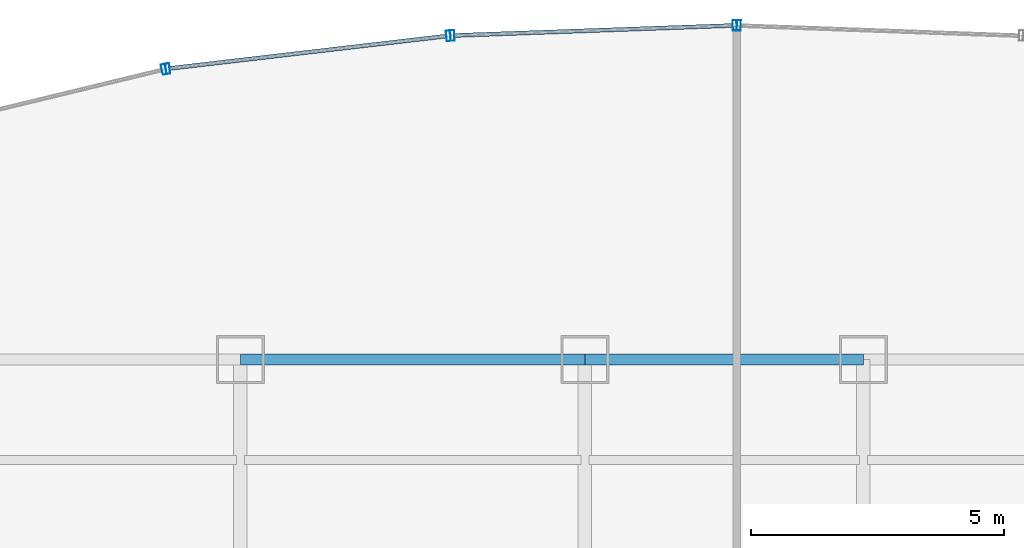
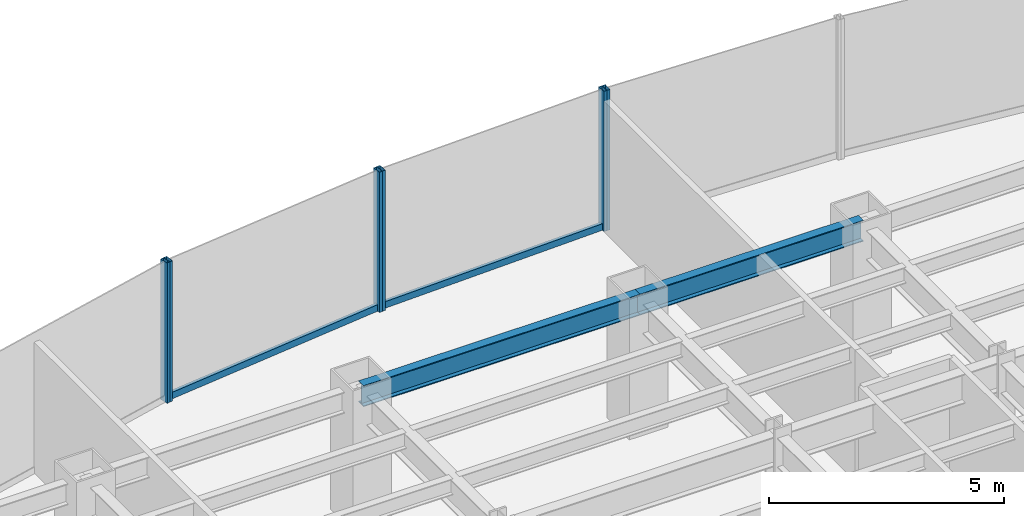
# One storey, part 13 of 23: 8 members, 2 beams, 4 elements without a shape of their own.
"""IFC4 building model written with IfcOpenShell, lengths in metres."""

from ifc_helpers import new_model, si_unit, derived_unit, direction, frame, origin, origin_2d, place, context, subcontext, project, spatial, hollow_rectangle, i_section, extrude, source, transform, mapped, material, material_profile, profile_set, type_object, element, aggregate, save


model = new_model("IFC4")

# Units and contexts
model_context = context("Model", 3, precision=1e-05, world=origin(), true_north=direction((0.0, 1.0)))
body_context = subcontext(model_context, "Body", "Model", "MODEL_VIEW")
ifc_project = project(units=[si_unit("LENGTHUNIT", "METRE"), si_unit("AREAUNIT", "SQUARE_METRE"), si_unit("VOLUMEUNIT", "CUBIC_METRE"), si_unit("PLANEANGLEUNIT", "RADIAN"), si_unit("MASSUNIT", "GRAM", prefix="KILO"), derived_unit("THERMALTRANSMITTANCEUNIT", [(si_unit("POWERUNIT", "WATT"), 1), (si_unit("LENGTHUNIT", "METRE"), -2), (si_unit("THERMODYNAMICTEMPERATUREUNIT", "KELVIN"), -1)])], contexts=[model_context])

# Site, building, storey
site_placement = place(None, origin())
site = spatial("IfcSite", under=ifc_project, at=site_placement, CompositionType="ELEMENT")
building_placement = place(site_placement, origin())
building = spatial("IfcBuilding", under=site, at=building_placement, Name="Skarnbrae Concourse Arena and Tower", CompositionType="ELEMENT")
storey_placement = place(building_placement, frame((0.0, 0.0, 43.449951171875)))
storey = spatial("IfcBuildingStorey", under=building, at=storey_placement, Name="L09", CompositionType="ELEMENT", Elevation=43.449951171875)

# Beams
ifc_material_1 = material(Name="Steel CSA G40.21 350W", Category="steel")
ifc_material_profile_1 = material_profile(ifc_material_1, i_section(OverallWidth=0.214111328125, OverallDepth=0.549072265625, WebThickness=0.0146484375, FlangeThickness=0.023681640625, at=origin_2d()), Name="W530X138")
ifc_profile_set_1 = profile_set([ifc_material_profile_1], Name="Steel CSA G40.21 350W")
beam_type = type_object("IfcBeamType", Name="BM-SPAN-W530X138", PredefinedType="SPANDREL", material=ifc_profile_set_1)
shared_shape_1 = source(origin(), body_context, "Body", "SweptSolid", [
    extrude(i_section(OverallWidth=0.214111328125, OverallDepth=0.549072265625, WebThickness=0.0146484375, FlangeThickness=0.023681640625, at=origin_2d()), origin(), (0.0, 0.0, 1.0), 6.800048828125),
])
beam_1_placement = place(storey_placement, frame((21.199951171875, 40.39990234375, 3.12548828125), z_axis=(1.0, 0.0, 0.0), x_axis=(0.0, 1.0, 0.0)))
element("IfcBeam", 1, at=beam_1_placement, inside=storey, type_object=beam_type, Name="L09 Perimeter spandrel Y40.4-3", PredefinedType="SPANDREL", context=body_context, shape_type="MappedRepresentation", body=[
    mapped(shared_shape_1, transform((0.0, 0.0, 0.0))),
])
shared_shape_2 = source(origin(), body_context, "Body", "SweptSolid", [
    extrude(i_section(OverallWidth=0.214111328125, OverallDepth=0.549072265625, WebThickness=0.0146484375, FlangeThickness=0.023681640625, at=origin_2d()), origin(), (0.0, 0.0, 1.0), 5.5),
])
beam_2_placement = place(storey_placement, frame((28.0, 40.39990234375, 3.12548828125), z_axis=(1.0, 0.0, 0.0), x_axis=(0.0, 1.0, 0.0)))
element("IfcBeam", 2, at=beam_2_placement, inside=storey, type_object=beam_type, Name="L09 Perimeter spandrel Y40.4-4", PredefinedType="SPANDREL", context=body_context, shape_type="MappedRepresentation", body=[
    mapped(shared_shape_2, transform((0.0, 0.0, 0.0))),
])

# Curtain wall, member
ifc_material_2 = material(Name="Bronze anodised aluminium 6063-T6", Category="aluminium")
curtain_wall_type = type_object("IfcCurtainWallType", Name="CW-SYS-03-PORTAL", PredefinedType="USERDEFINED", material=ifc_material_2)
curtain_wall_1_placement = place(storey_placement, origin())
curtain_wall_1 = element("IfcCurtainWall", 3, at=curtain_wall_1_placement, inside=storey, type_object=curtain_wall_type, Name="L09 Unitised curtain wall CW-L09-E11", ObjectType="UNITISED CURTAIN WALL", PredefinedType="USERDEFINED")
ifc_material_profile_2 = material_profile(ifc_material_2, hollow_rectangle(XDim=0.080078125, YDim=0.2099609375, WallThickness=0.00439453125, at=origin_2d()), Name="ALU-MULL-80X210")
ifc_profile_set_2 = profile_set([ifc_material_profile_2], Name="Bronze anodised aluminium 6063-T6")
member_type_1 = type_object("IfcMemberType", Name="CWM-CW-03", PredefinedType="MULLION", material=ifc_profile_set_2)
shared_shape_3 = source(origin(), body_context, "Body", "SweptSolid", [
    extrude(hollow_rectangle(XDim=0.080078125, YDim=0.2099609375, WallThickness=0.00439453125, at=origin_2d()), origin(), (0.0, 0.0, 1.0), 3.650146484375),
])
member_1_placement = place(storey_placement, frame((31.0400390625, 46.99853515625, 0.0), z_axis=(0.0, 0.0, 1.0), x_axis=(-0.999355425188, 0.035898943527, 0.0)))
member_1 = element("IfcMember", 4, at=member_1_placement, type_object=member_type_1, Name="CW-L09-E11 Mullion 2", PredefinedType="MULLION", context=body_context, shape_type="MappedRepresentation", body=[
    mapped(shared_shape_3, transform((0.0, 0.0, 0.0))),
])
aggregate(curtain_wall_1, [member_1])

# Curtain wall, members
curtain_wall_2_placement = place(storey_placement, origin())
curtain_wall_2 = element("IfcCurtainWall", 5, at=curtain_wall_2_placement, inside=storey, type_object=curtain_wall_type, Name="L09 Unitised curtain wall CW-L09-E12", ObjectType="UNITISED CURTAIN WALL", PredefinedType="USERDEFINED")
member_2_placement = place(storey_placement, frame((30.9599609375, 46.99853515625, 0.0), z_axis=(0.0, 0.0, 1.0), x_axis=(-0.999355425188, -0.035898943527, 0.0)))
member_2 = element("IfcMember", 6, at=member_2_placement, type_object=member_type_1, Name="CW-L09-E12 Mullion 1", PredefinedType="MULLION", context=body_context, shape_type="MappedRepresentation", body=[
    mapped(shared_shape_3, transform((0.0, 0.0, 0.0))),
])
member_3_placement = place(storey_placement, frame((25.385986328125, 46.79833984375, 0.0), z_axis=(0.0, 0.0, 1.0), x_axis=(-0.999355425188, -0.035898943527, 0.0)))
member_3 = element("IfcMember", 7, at=member_3_placement, type_object=member_type_1, Name="CW-L09-E12 Mullion 2", PredefinedType="MULLION", context=body_context, shape_type="MappedRepresentation", body=[
    mapped(shared_shape_3, transform((0.0, 0.0, 0.0))),
])

curtain_wall_3_placement = place(storey_placement, origin())
curtain_wall_3 = element("IfcCurtainWall", 8, at=curtain_wall_3_placement, inside=storey, type_object=curtain_wall_type, Name="L09 Unitised curtain wall CW-L09-E13", ObjectType="UNITISED CURTAIN WALL", PredefinedType="USERDEFINED")
member_4_placement = place(storey_placement, frame((25.306396484375, 46.792236328125, 0.0), z_axis=(0.0, 0.0, 1.0), x_axis=(-0.99324457001, -0.116039752435, 0.0)))
member_4 = element("IfcMember", 9, at=member_4_placement, type_object=member_type_1, Name="CW-L09-E13 Mullion 1", PredefinedType="MULLION", context=body_context, shape_type="MappedRepresentation", body=[
    mapped(shared_shape_3, transform((0.0, 0.0, 0.0))),
])
member_5_placement = place(storey_placement, frame((19.767333984375, 46.14501953125, 0.0), z_axis=(0.0, 0.0, 1.0), x_axis=(-0.99324457001, -0.116039752435, 0.0)))
member_5 = element("IfcMember", 10, at=member_5_placement, type_object=member_type_1, Name="CW-L09-E13 Mullion 2", PredefinedType="MULLION", context=body_context, shape_type="MappedRepresentation", body=[
    mapped(shared_shape_3, transform((0.0, 0.0, 0.0))),
])

# Curtain wall, member
curtain_wall_4_placement = place(storey_placement, origin())
curtain_wall_4 = element("IfcCurtainWall", 11, at=curtain_wall_4_placement, inside=storey, type_object=curtain_wall_type, Name="L09 Unitised curtain wall CW-L09-E14", ObjectType="UNITISED CURTAIN WALL", PredefinedType="USERDEFINED")
member_6_placement = place(storey_placement, frame((19.688720703125, 46.131103515625, 0.0), z_axis=(0.0, 0.0, 1.0), x_axis=(-0.971973721569, -0.235089524607, 0.0)))
member_6 = element("IfcMember", 12, at=member_6_placement, type_object=member_type_1, Name="CW-L09-E14 Mullion 1", PredefinedType="MULLION", context=body_context, shape_type="MappedRepresentation", body=[
    mapped(shared_shape_3, transform((0.0, 0.0, 0.0))),
])
aggregate(curtain_wall_4, [member_6])

# Member
ifc_material_profile_3 = material_profile(ifc_material_2, hollow_rectangle(XDim=0.080078125, YDim=0.169921875, WallThickness=0.00439453125, at=origin_2d()), Name="ALU-TRAN-80X170")
ifc_profile_set_3 = profile_set([ifc_material_profile_3], Name="Bronze anodised aluminium 6063-T6")
member_type_2 = type_object("IfcMemberType", Name="CWT-CW-03", PredefinedType="USERDEFINED", material=ifc_profile_set_3)
shared_shape_4 = source(origin(), body_context, "Body", "SweptSolid", [
    extrude(hollow_rectangle(XDim=0.080078125, YDim=0.169921875, WallThickness=0.00439453125, at=origin_2d()), origin(), (0.0, 0.0, 1.0), 5.49658203125),
])
member_7_placement = place(storey_placement, frame((25.2666015625, 46.78759765625, 0.0849609375), z_axis=(-0.993247281455, -0.116016541417, 0.0), x_axis=(0.116016541417, -0.993247281455, 0.0)))
member_7 = element("IfcMember", 13, at=member_7_placement, type_object=member_type_2, Name="CW-L09-E13 Transom 1", ObjectType="TRANSOM", PredefinedType="USERDEFINED", context=body_context, shape_type="MappedRepresentation", body=[
    mapped(shared_shape_4, transform((0.0, 0.0, 0.0))),
])

aggregate(curtain_wall_3, [member_4, member_5, member_7])

shared_shape_5 = source(origin(), body_context, "Body", "SweptSolid", [
    extrude(hollow_rectangle(XDim=0.080078125, YDim=0.169921875, WallThickness=0.00439453125, at=origin_2d()), origin(), (0.0, 0.0, 1.0), 5.497802734375),
])
member_8_placement = place(storey_placement, frame((30.920166015625, 46.9970703125, 0.0849609375), z_axis=(-0.999356047798, -0.03588160712, 0.0), x_axis=(0.03588160712, -0.999356047798, 0.0)))
member_8 = element("IfcMember", 14, at=member_8_placement, type_object=member_type_2, Name="CW-L09-E12 Transom 1", ObjectType="TRANSOM", PredefinedType="USERDEFINED", context=body_context, shape_type="MappedRepresentation", body=[
    mapped(shared_shape_5, transform((0.0, 0.0, 0.0))),
])

aggregate(curtain_wall_2, [member_2, member_3, member_8])

save(model, "model.ifc")
